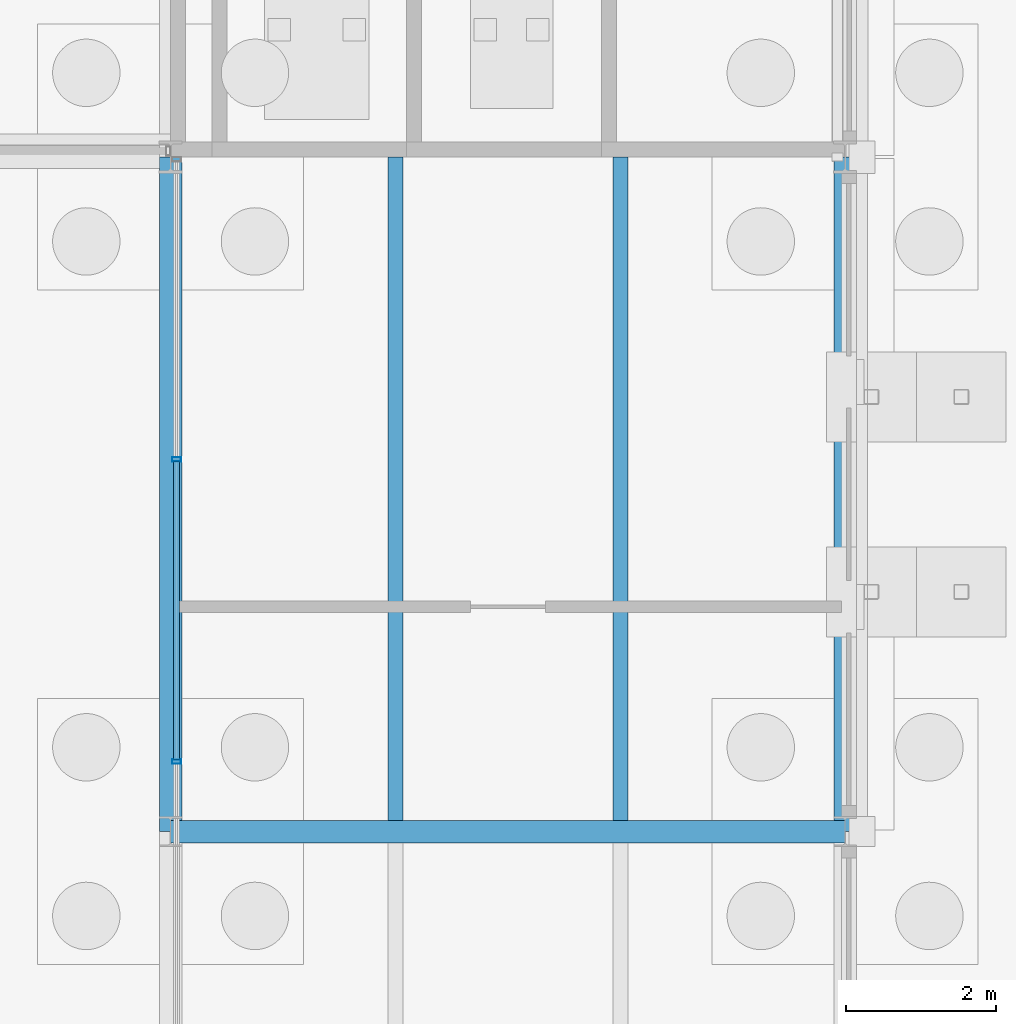
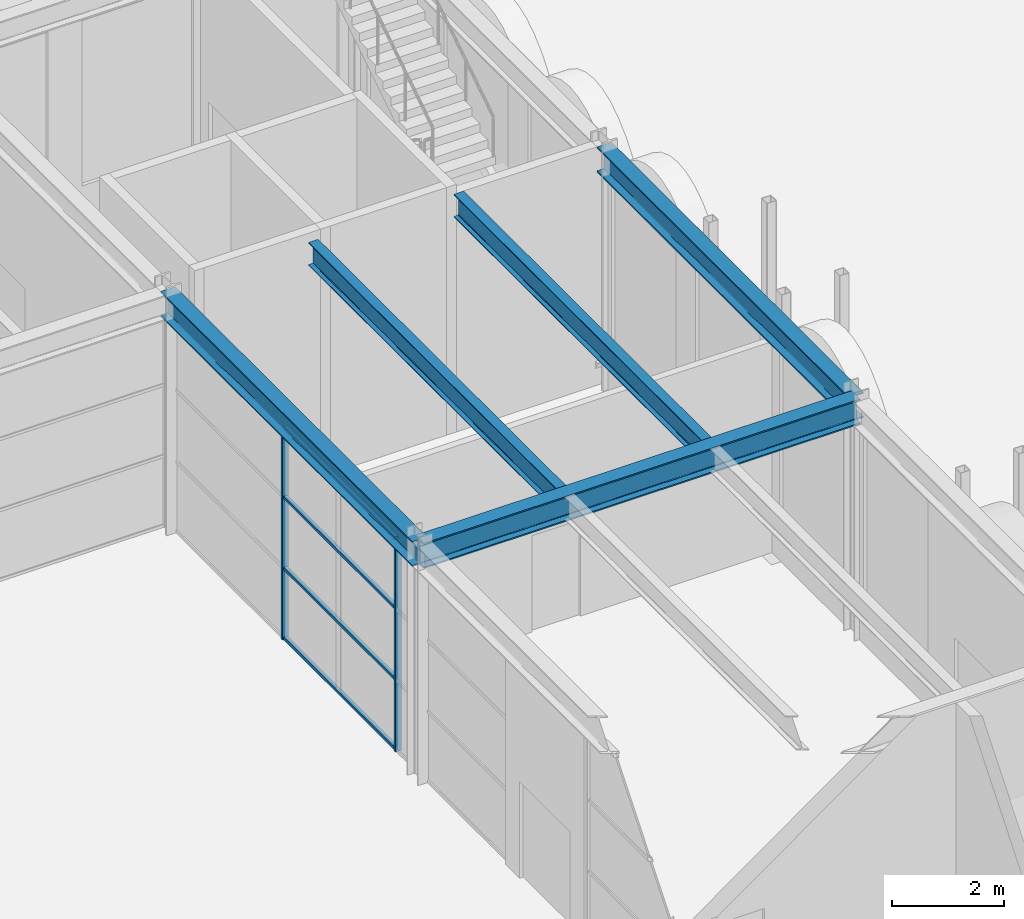
# One storey, part 50 of 126: 6 members, 5 beams, 1 element without a shape of its own.
"""IFC4 building model written with IfcOpenShell, lengths in metres."""

from ifc_helpers import new_model, si_unit, direction, frame, origin, origin_2d, place, context, subcontext, project, spatial, hollow_rectangle, i_section, extrude, material, material_profile, profile_set, type_object, element, aggregate, save


model = new_model("IFC4")

# Units and contexts
model_context = context("Model", 3, precision=1e-05, world=origin(), true_north=direction((0.0, 1.0)))
body_context = subcontext(model_context, "Body", "Model", "MODEL_VIEW")
ifc_project = project(units=[si_unit("LENGTHUNIT", "METRE"), si_unit("AREAUNIT", "SQUARE_METRE"), si_unit("VOLUMEUNIT", "CUBIC_METRE"), si_unit("PLANEANGLEUNIT", "RADIAN"), si_unit("MASSUNIT", "GRAM", prefix="KILO")], contexts=[model_context])

# Site, building, storey
site_placement = place(None, origin())
site = spatial("IfcSite", under=ifc_project, at=site_placement, CompositionType="ELEMENT")
building_placement = place(site_placement, origin())
building = spatial("IfcBuilding", under=site, at=building_placement, Name="Kallimachos Central Library", CompositionType="ELEMENT")
storey_placement = place(building_placement, origin())
storey = spatial("IfcBuildingStorey", under=building, at=storey_placement, Name="L00", CompositionType="ELEMENT", Elevation=0.0)

# Curtain wall, members
ifc_material_1 = material(Name="Aluminium and laminated glass", Category="aluminium")
curtain_wall_type = type_object("IfcCurtainWallType", Name="Atrium glazed screen", PredefinedType="NOTDEFINED", material=ifc_material_1)
curtain_wall_placement = place(storey_placement, origin())
curtain_wall = element("IfcCurtainWall", 1, at=curtain_wall_placement, inside=storey, type_object=curtain_wall_type, Name="L00 atrium screen E", PredefinedType="NOTDEFINED")
ifc_material_2 = material(Name="Anodised aluminium", Category="aluminium")
ifc_material_profile_1 = material_profile(ifc_material_2, hollow_rectangle(XDim=0.06005859375, YDim=0.1201171875, WallThickness=0.00390625, at=origin_2d()), Name="ALU MULLION 60x120")
ifc_profile_set_1 = profile_set([ifc_material_profile_1], Name="Anodised aluminium")
member_type_1 = type_object("IfcMemberType", Name="Atrium screen mullion", PredefinedType="MULLION", material=ifc_profile_set_1)
member_1_placement = place(storey_placement, frame((101.580078125, 66.933349609375, 0.0), z_axis=(0.0, 0.0, 1.0), x_axis=(0.0, 1.0, 0.0)))
member_1 = element("IfcMember", 2, at=member_1_placement, type_object=member_type_1, Name="CW mullion 2", PredefinedType="MULLION", context=body_context, shape_type="SweptSolid", body=[
    extrude(hollow_rectangle(XDim=0.06005859375, YDim=0.1201171875, WallThickness=0.00390625, at=origin_2d()), origin(), (0.0, 0.0, 1.0), 4.64990234375),
])
member_2_placement = place(storey_placement, frame((101.580078125, 70.966552734375, 0.0), z_axis=(0.0, 0.0, 1.0), x_axis=(0.0, 1.0, 0.0)))
member_2 = element("IfcMember", 3, at=member_2_placement, type_object=member_type_1, Name="CW mullion 3", PredefinedType="MULLION", context=body_context, shape_type="SweptSolid", body=[
    extrude(hollow_rectangle(XDim=0.06005859375, YDim=0.1201171875, WallThickness=0.00390625, at=origin_2d()), origin(), (0.0, 0.0, 1.0), 4.64990234375),
])
ifc_material_3 = material(Name="Anodised aluminium", Category="aluminium")
ifc_material_profile_2 = material_profile(ifc_material_3, hollow_rectangle(XDim=0.06005859375, YDim=0.080078125, WallThickness=0.00390625, at=origin_2d()), Name="ALU TRANSOM 60x80")
ifc_profile_set_2 = profile_set([ifc_material_profile_2], Name="Anodised aluminium")
member_type_2 = type_object("IfcMemberType", Name="Atrium screen transom", PredefinedType="USERDEFINED", material=ifc_profile_set_2)
member_3_placement = place(storey_placement, frame((101.580078125, 66.96337890625, 0.030029296875), z_axis=(0.0, 1.0, 0.0), x_axis=(0.0, 0.0, 1.0)))
member_3 = element("IfcMember", 4, at=member_3_placement, type_object=member_type_2, Name="CW transom 2.1", ObjectType="TRANSOM", PredefinedType="USERDEFINED", context=body_context, shape_type="SweptSolid", body=[
    extrude(hollow_rectangle(XDim=0.06005859375, YDim=0.080078125, WallThickness=0.00390625, at=origin_2d()), origin(), (0.0, 0.0, 1.0), 3.973388671875),
])
member_4_placement = place(storey_placement, frame((101.580078125, 66.96337890625, 1.550048828125), z_axis=(0.0, 1.0, 0.0), x_axis=(0.0, 0.0, 1.0)))
member_4 = element("IfcMember", 5, at=member_4_placement, type_object=member_type_2, Name="CW transom 2.2", ObjectType="TRANSOM", PredefinedType="USERDEFINED", context=body_context, shape_type="SweptSolid", body=[
    extrude(hollow_rectangle(XDim=0.06005859375, YDim=0.080078125, WallThickness=0.00390625, at=origin_2d()), origin(), (0.0, 0.0, 1.0), 3.973388671875),
])
member_5_placement = place(storey_placement, frame((101.580078125, 66.96337890625, 3.10009765625), z_axis=(0.0, 1.0, 0.0), x_axis=(0.0, 0.0, 1.0)))
member_5 = element("IfcMember", 6, at=member_5_placement, type_object=member_type_2, Name="CW transom 2.3", ObjectType="TRANSOM", PredefinedType="USERDEFINED", context=body_context, shape_type="SweptSolid", body=[
    extrude(hollow_rectangle(XDim=0.06005859375, YDim=0.080078125, WallThickness=0.00390625, at=origin_2d()), origin(), (0.0, 0.0, 1.0), 3.973388671875),
])
member_6_placement = place(storey_placement, frame((101.580078125, 66.96337890625, 4.6201171875), z_axis=(0.0, 1.0, 0.0), x_axis=(0.0, 0.0, 1.0)))
member_6 = element("IfcMember", 7, at=member_6_placement, type_object=member_type_2, Name="CW transom 2.4", ObjectType="TRANSOM", PredefinedType="USERDEFINED", context=body_context, shape_type="SweptSolid", body=[
    extrude(hollow_rectangle(XDim=0.06005859375, YDim=0.080078125, WallThickness=0.00390625, at=origin_2d()), origin(), (0.0, 0.0, 1.0), 3.973388671875),
])
aggregate(curtain_wall, [member_1, member_2, member_3, member_4, member_5, member_6])

# Beams
ifc_material_4 = material(Name="Steel S355J2", Category="steel")
ifc_material_profile_3 = material_profile(ifc_material_4, i_section(OverallWidth=0.300048828125, OverallDepth=0.550048828125, WebThickness=0.014892578125, FlangeThickness=0.029052734375, FilletRadius=0.027099609375, at=origin_2d()), Name="HEB 550")
ifc_profile_set_3 = profile_set([ifc_material_profile_3], Name="Steel S355J2")
beam_type_1 = type_object("IfcBeamType", Name="HEB 550 beam", PredefinedType="BEAM", material=ifc_profile_set_3)
for number, where, z_axis, x_axis, name in (
    (8, (101.5, 66.0, 4.925048828125), (1.0, 0.0, 0.0), (0.0, 1.0, 0.0), "V4-BEM-L00-032"),
    (9, (101.5, 66.0, 4.925048828125), (0.0, 1.0, 0.0), (-1.0, 0.0, 0.0), "V4-BEM-L00-034"),
    (10, (110.5, 66.0, 4.925048828125), (0.0, 1.0, 0.0), (-1.0, 0.0, 0.0), "V4-BEM-L00-036"),
):
    element("IfcBeam", number, at=place(storey_placement, frame(where, z_axis=z_axis, x_axis=x_axis)), inside=storey, type_object=beam_type_1, Name=name, PredefinedType="BEAM", context=body_context, shape_type="SweptSolid", body=[
        extrude(i_section(OverallWidth=0.300048828125, OverallDepth=0.550048828125, WebThickness=0.014892578125, FlangeThickness=0.029052734375, FilletRadius=0.027099609375, at=origin_2d()), origin(), (0.0, 0.0, 1.0), 9.0),
    ])
ifc_material_5 = material(Name="Steel S355J2", Category="steel")
ifc_material_profile_4 = material_profile(ifc_material_5, i_section(OverallWidth=0.199951171875, OverallDepth=0.5, WebThickness=0.01025390625, FlangeThickness=0.01611328125, FilletRadius=0.02099609375, at=origin_2d()), Name="IPE 500")
ifc_profile_set_4 = profile_set([ifc_material_profile_4], Name="Steel S355J2")
beam_type_2 = type_object("IfcBeamType", Name="IPE 500 beam", PredefinedType="BEAM", material=ifc_profile_set_4)
for number, where, z_axis, x_axis, name in (
    (11, (104.5, 66.14990234375, 4.949951171875), (0.0, 1.0, 0.0), (-1.0, 0.0, 0.0), "V4-BEM-L00-039"),
    (12, (107.5, 66.14990234375, 4.949951171875), (0.0, 1.0, 0.0), (-1.0, 0.0, 0.0), "V4-BEM-L00-040"),
):
    element("IfcBeam", number, at=place(storey_placement, frame(where, z_axis=z_axis, x_axis=x_axis)), inside=storey, type_object=beam_type_2, Name=name, PredefinedType="BEAM", context=body_context, shape_type="SweptSolid", body=[
        extrude(i_section(OverallWidth=0.199951171875, OverallDepth=0.5, WebThickness=0.01025390625, FlangeThickness=0.01611328125, FilletRadius=0.02099609375, at=origin_2d()), origin(), (0.0, 0.0, 1.0), 8.85009765625),
    ])

save(model, "model.ifc")
